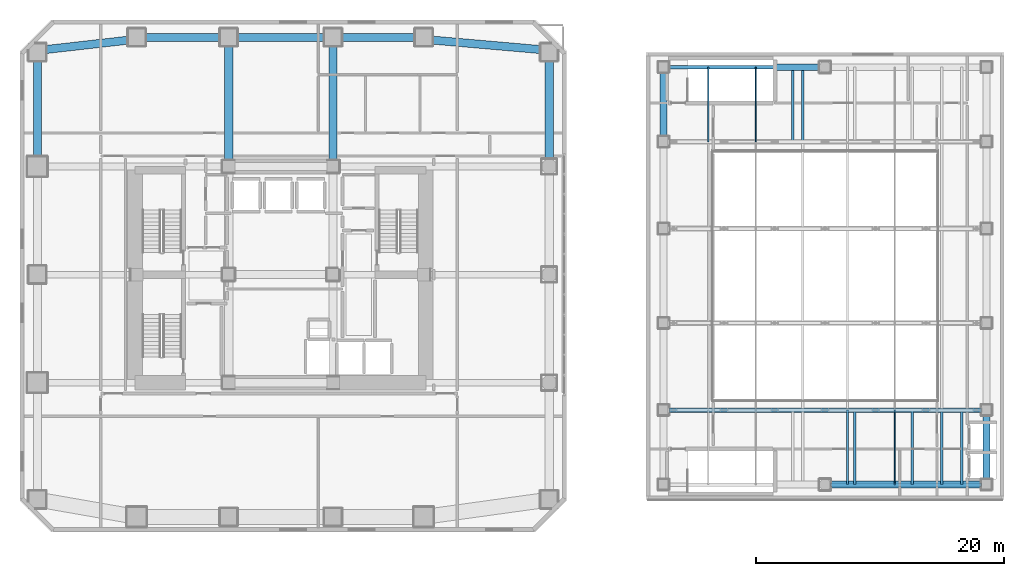
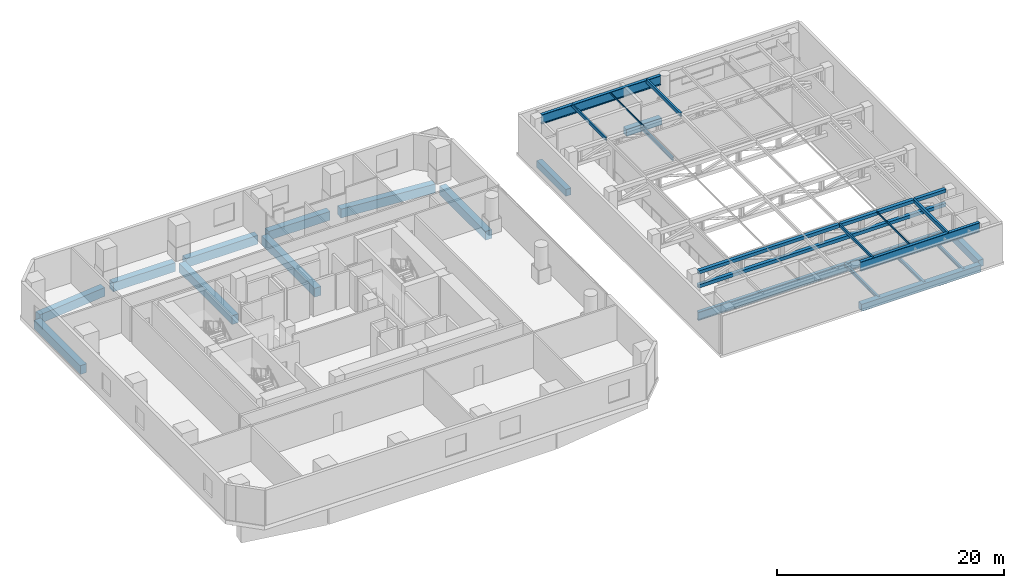
# One storey, part 8 of 25: 20 beams, 8 members.
"""IFC4 building model written with IfcOpenShell, lengths in metres."""

import ifcopenshell
import ifcopenshell.guid

model = None  # the IFC model being written
_history = None  # IfcOwnerHistory: only IFC2X3 demands one
_inside = {}  # id of a spatial element -> (the spatial element, [elements in it])
_under = {}  # id of a project, library or spatial element -> (it, [spatial elements below it])
_declared = {}  # id of a project -> (the project, [libraries it declares])
_typed = {}  # id of a type object -> (the type object, [elements of that type])
_made_of = {}  # id of a material, layer set ... -> (it, [elements and type objects made of it])


def new_model(schema):
    """Start an empty IFC model of exactly this schema.

    Asked for "IFC4X3", IfcOpenShell would pick the latest addendum, in which some entities
    have other attributes; the version numbers below select the first issue.
    IFC2X3 requires an IfcOwnerHistory on every rooted entity: one is made here for all.
    """
    global model, _history
    if schema == "IFC4X3":
        model = ifcopenshell.file(schema_version=(4, 3, 0, 0))
    else:
        model = ifcopenshell.file(schema=schema)
    _inside.clear()
    _under.clear()
    _declared.clear()
    _typed.clear()
    _made_of.clear()
    _history = None
    if model.schema == "IFC2X3":
        org = make("IfcOrganization", Name="unknown")
        user = make(
            "IfcPersonAndOrganization",
            ThePerson=make("IfcPerson", FamilyName="unknown"),
            TheOrganization=org,
        )
        app = make(
            "IfcApplication",
            ApplicationDeveloper=org,
            Version="unknown",
            ApplicationFullName="unknown",
            ApplicationIdentifier="unknown",
        )
        _history = make(
            "IfcOwnerHistory",
            OwningUser=user,
            OwningApplication=app,
            ChangeAction="ADDED",
            CreationDate=0,
        )
    return model


def make(cls, **values):
    """One entity of the class cls with the attributes given. An attribute that is None is left unset."""
    return model.create_entity(
        cls, **{name: value for name, value in values.items() if value is not None}
    )


def rooted(cls, **values):
    """An entity with a GlobalId (a new one), such as an element, a storey or a relation."""
    return make(cls, GlobalId=ifcopenshell.guid.new(), OwnerHistory=_history, **values)


def si_unit(unit_type, name, prefix=None):
    """IfcSIUnit, for example si_unit("LENGTHUNIT", "METRE", prefix="MILLI")."""
    return make("IfcSIUnit", UnitType=unit_type, Prefix=prefix, Name=name)


def assignment(units):
    """IfcUnitAssignment: the units of a project."""
    return None if units is None else make("IfcUnitAssignment", Units=units)


def point(xyz):
    """IfcCartesianPoint."""
    return None if xyz is None else make("IfcCartesianPoint", Coordinates=xyz)


def direction(xyz):
    """IfcDirection."""
    return None if xyz is None else make("IfcDirection", DirectionRatios=xyz)


def frame(location, z_axis=None, x_axis=None):
    """IfcAxis2Placement3D, a coordinate frame: its origin and axes. An axis left out is left unset."""
    return make(
        "IfcAxis2Placement3D",
        Location=point(location),
        Axis=direction(z_axis),
        RefDirection=direction(x_axis),
    )


def frame_2d(location, x_axis=None):
    """IfcAxis2Placement2D, a coordinate frame in the plane: its origin and x axis."""
    return make(
        "IfcAxis2Placement2D", Location=point(location), RefDirection=direction(x_axis)
    )


def origin():
    """The frame at (0, 0, 0) with its axes left unset."""
    return frame((0.0, 0.0, 0.0))


def origin_2d():
    """The frame at (0, 0) in the plane with its x axis left unset."""
    return frame_2d((0.0, 0.0))


def place(relative_to, where):
    """IfcLocalPlacement: puts the frame where relative to a parent placement (None: the world)."""
    return make(
        "IfcLocalPlacement", PlacementRelTo=relative_to, RelativePlacement=where
    )


def context(
    kind, dimensions, precision=None, world=None, true_north=None, identifier=None
):
    """IfcGeometricRepresentationContext, for example the 3D "Model" context."""
    return make(
        "IfcGeometricRepresentationContext",
        ContextIdentifier=identifier,
        ContextType=kind,
        CoordinateSpaceDimension=dimensions,
        Precision=precision,
        WorldCoordinateSystem=world,
        TrueNorth=true_north,
    )


def subcontext(parent, identifier, kind, view, scale=None):
    """IfcGeometricRepresentationSubContext, for example "Body" below "Model"."""
    return make(
        "IfcGeometricRepresentationSubContext",
        ContextIdentifier=identifier,
        ContextType=kind,
        ParentContext=parent,
        TargetScale=scale,
        TargetView=view,
    )


def project(units=None, contexts=None):
    """IfcProject with its units and contexts."""
    return rooted(
        "IfcProject",
        Name="project",
        RepresentationContexts=contexts,
        UnitsInContext=assignment(units),
    )


def spatial(cls, under=None, at=None, **own):
    """A site, building, storey or space (cls), placed at a placement, below another one or the project."""
    s = rooted(cls, ObjectPlacement=at, **own)
    if under is not None:
        _under.setdefault(under.id(), (under, []))[1].append(s)
    return s


def profile(cls, at=None, kind="AREA", **sizes):
    """A parametric profile (cls). Its sizes go by their IFC names, for example OverallWidth=200.0."""
    return make(cls, ProfileType=kind, Position=at, **sizes)


def rectangle(**sizes):
    """IfcRectangleProfileDef."""
    return profile("IfcRectangleProfileDef", **sizes)


def hollow_rectangle(**sizes):
    """IfcRectangleHollowProfileDef."""
    return profile("IfcRectangleHollowProfileDef", **sizes)


def i_section(**sizes):
    """IfcIShapeProfileDef."""
    return profile("IfcIShapeProfileDef", **sizes)


def extrude(swept, where, along, depth):
    """IfcExtrudedAreaSolid: the profile swept, set in the frame where, extruded along a direction by depth."""
    return make(
        "IfcExtrudedAreaSolid",
        SweptArea=swept,
        Position=where,
        ExtrudedDirection=direction(along),
        Depth=depth,
    )


def shape(context_of_items, identifier, shape_type, items):
    """IfcShapeRepresentation: the items that make up one representation, for example the "Body"."""
    return make(
        "IfcShapeRepresentation",
        ContextOfItems=context_of_items,
        RepresentationIdentifier=identifier,
        RepresentationType=shape_type,
        Items=items,
    )


def material(Name=None, Category=None):
    """IfcMaterial."""
    return make("IfcMaterial", Name=Name, Category=Category)


def material_profile(
    of_material, cross_section, Name=None, Category=None, Priority=None
):
    """IfcMaterialProfile: a cross section and its material."""
    return make(
        "IfcMaterialProfile",
        Name=Name,
        Material=of_material,
        Profile=cross_section,
        Priority=Priority,
        Category=Category,
    )


def profile_set(profiles, Name=None, composite=None):
    """IfcMaterialProfileSet."""
    return make(
        "IfcMaterialProfileSet",
        Name=Name,
        MaterialProfiles=profiles,
        CompositeProfile=composite,
    )


def made_of(thing, what):
    """Note that an element or type object is made of a material, layer set ...; save() writes the relation."""
    if what is not None:
        _made_of.setdefault(what.id(), (what, []))[1].append(thing)
    return thing


def type_object(cls, material=None, **own):
    """A type object (cls), such as IfcWallType, which elements share."""
    return made_of(rooted(cls, **own), material)


def element(
    cls,
    number,
    at=None,
    inside=None,
    cuts=None,
    type_object=None,
    material=None,
    context=None,
    identifier="Body",
    shape_type=None,
    held_by="IfcProductDefinitionShape",
    body=None,
    shapes=None,
    **own,
):
    """One element of the class cls, such as IfcWall. Its Tag is "e" and its number.

    at: its placement. inside: the storey or other place that contains it. cuts: it is an
    opening in that element (IfcRelVoidsElement). A single representation is given by context,
    identifier, shape_type and body (its items); several are given by shapes. held_by: the class
    of the entity that holds the representations. save() writes the other relations.
    """
    e = rooted(cls, Tag="e%d" % number, ObjectPlacement=at, **own)
    if body is not None:
        shapes = [shape(context, identifier, shape_type, body)]
    if shapes is not None:
        e.Representation = make(held_by, Representations=shapes)
    if inside is not None:
        _inside.setdefault(inside.id(), (inside, []))[1].append(e)
    if cuts is not None:
        rooted(
            "IfcRelVoidsElement", RelatingBuildingElement=cuts, RelatedOpeningElement=e
        )
    if type_object is not None:
        _typed.setdefault(type_object.id(), (type_object, []))[1].append(e)
    return made_of(e, material)


def aggregate(whole, parts):
    """IfcRelAggregates: a whole, such as a stair, and the parts it consists of."""
    return rooted("IfcRelAggregates", RelatingObject=whole, RelatedObjects=parts)


def save(model, path):
    """Write the relations noted so far, then the file.

    IfcRelAggregates (storeys below a building ...), IfcRelContainedInSpatialStructure (elements
    in a storey), IfcRelDefinesByType, IfcRelAssociatesMaterial and IfcRelDeclares: one each for
    every whole, place, type object, material and project.
    """
    for whole, parts in _under.values():
        aggregate(whole, parts)
    for where, things in _inside.values():
        rooted(
            "IfcRelContainedInSpatialStructure",
            RelatedElements=things,
            RelatingStructure=where,
        )
    for kind, things in _typed.values():
        rooted("IfcRelDefinesByType", RelatedObjects=things, RelatingType=kind)
    for what, things in _made_of.values():
        rooted("IfcRelAssociatesMaterial", RelatedObjects=things, RelatingMaterial=what)
    for by, libraries in _declared.values():
        rooted("IfcRelDeclares", RelatingContext=by, RelatedDefinitions=libraries)
    model.write(path)


model = new_model("IFC4")

# Units and contexts
model_context = context("Model", 3, precision=1e-05, world=origin(), true_north=direction((0.0, 1.0)))
body_context = subcontext(model_context, "Body", "Model", "MODEL_VIEW")
ifc_project = project(units=[si_unit("LENGTHUNIT", "METRE"), si_unit("AREAUNIT", "SQUARE_METRE"), si_unit("VOLUMEUNIT", "CUBIC_METRE"), si_unit("PLANEANGLEUNIT", "RADIAN"), si_unit("MASSUNIT", "GRAM", prefix="KILO")], contexts=[model_context])

# Site, building, storey
site_placement = place(None, origin())
site = spatial("IfcSite", under=ifc_project, at=site_placement, CompositionType="ELEMENT")
building_placement = place(site_placement, origin())
building = spatial("IfcBuilding", under=site, at=building_placement, Name="Solanera Arch Residences", CompositionType="ELEMENT")
storey_placement = place(building_placement, frame((0.0, 0.0, 17.800048828125)))
storey = spatial("IfcBuildingStorey", under=building, at=storey_placement, Name="L04", CompositionType="ELEMENT", Elevation=17.800048828125)

# Beams
ifc_material_1 = material(Name="Concrete C40/50 (f'c = 45 MPa)", Category="concrete")
ifc_material_profile_1 = material_profile(ifc_material_1, rectangle(XDim=0.550048828125, YDim=0.75, at=origin_2d()))
ifc_profile_set_1 = profile_set([ifc_material_profile_1], Name="Concrete C40/50 (f'c = 45 MPa)")
beam_type_1 = type_object("IfcBeamType", Name="Primary Beam RC-BM-550X750", PredefinedType="BEAM", material=ifc_profile_set_1)
beam_1_placement = place(storey_placement, frame((81.800048828125, 14.22509765625, -0.655029296875), z_axis=(0.0, 1.0, 0.0), x_axis=(-1.0, 0.0, 0.0)))
element("IfcBeam", 1, at=beam_1_placement, inside=storey, type_object=beam_type_1, Name="BM-L04-HE-1", PredefinedType="BEAM", context=body_context, shape_type="SweptSolid", body=[
    extrude(rectangle(XDim=0.550048828125, YDim=0.75, at=origin_2d()), origin(), (0.0, 0.0, 1.0), 5.14990234375),
])
beam_2_placement = place(storey_placement, frame((55.800048828125, 41.824951171875, -0.655029296875), z_axis=(0.0, 1.0, 0.0), x_axis=(-1.0, 0.0, 0.0)))
element("IfcBeam", 2, at=beam_2_placement, inside=storey, type_object=beam_type_1, Name="BM-L04-HW-5", PredefinedType="BEAM", context=body_context, shape_type="SweptSolid", body=[
    extrude(rectangle(XDim=0.550048828125, YDim=0.75, at=origin_2d()), origin(), (0.0, 0.0, 1.0), 5.150146484375),
])
beam_3_placement = place(storey_placement, frame((69.25, 13.800048828125, -0.655029296875), z_axis=(1.0, 0.0, 0.0), x_axis=(0.0, 1.0, 0.0)))
element("IfcBeam", 3, at=beam_3_placement, inside=storey, type_object=beam_type_1, Name="BM-L04-HS-2", PredefinedType="BEAM", context=body_context, shape_type="SweptSolid", body=[
    extrude(rectangle(XDim=0.550048828125, YDim=0.75, at=origin_2d()), origin(), (0.0, 0.0, 1.0), 12.125),
])
beam_4_placement = place(storey_placement, frame((64.760009765625, 47.39990234375, -0.655029296875), z_axis=(1.0, 0.0, 0.0), x_axis=(0.0, 1.0, 0.0)))
element("IfcBeam", 4, at=beam_4_placement, inside=storey, type_object=beam_type_1, Name="BM-L04-HN-1", PredefinedType="BEAM", context=body_context, shape_type="SweptSolid", body=[
    extrude(rectangle(XDim=0.550048828125, YDim=0.75, at=origin_2d()), origin(), (0.0, 0.0, 1.0), 3.590087890625),
])
ifc_material_2 = material(Name="Concrete C40/50 (f'c = 45 MPa)", Category="concrete")
ifc_material_profile_2 = material_profile(ifc_material_2, rectangle(XDim=0.64990234375, YDim=0.949951171875, at=origin_2d()))
ifc_profile_set_2 = profile_set([ifc_material_profile_2], Name="Concrete C40/50 (f'c = 45 MPa)")
beam_type_2 = type_object("IfcBeamType", Name="Primary Beam RC-BM-650X950", PredefinedType="BEAM", material=ifc_profile_set_2)
beam_5_placement = place(storey_placement, frame((5.39990234375, 39.93994140625, -0.89501953125), z_axis=(0.0, 1.0, 0.0), x_axis=(-1.0, 0.0, 0.0)))
element("IfcBeam", 5, at=beam_5_placement, inside=storey, type_object=beam_type_2, Name="BM-L04-POD-W4", PredefinedType="BEAM", context=body_context, shape_type="SweptSolid", body=[
    extrude(rectangle(XDim=0.64990234375, YDim=0.949951171875, at=origin_2d()), origin(), (0.0, 0.0, 1.0), 8.1201171875),
])
beam_6_placement = place(storey_placement, frame((5.8798828125, 48.800048828125, -0.89501953125), z_axis=(0.993604551923, 0.112915873098, 0.0), x_axis=(-0.112915873098, 0.993604551923, 0.0)))
element("IfcBeam", 6, at=beam_6_placement, inside=storey, type_object=beam_type_2, Name="BM-L04-POD-N1", PredefinedType="BEAM", context=body_context, shape_type="SweptSolid", body=[
    extrude(rectangle(XDim=0.64990234375, YDim=0.949951171875, at=origin_2d()), origin(), (0.0, 0.0, 1.0), 7.08544921875),
])
beam_7_placement = place(storey_placement, frame((13.93994140625, 49.800048828125, -0.89501953125), z_axis=(1.0, 0.0, 0.0), x_axis=(0.0, 1.0, 0.0)))
element("IfcBeam", 7, at=beam_7_placement, inside=storey, type_object=beam_type_2, Name="BM-L04-POD-N2", PredefinedType="BEAM", context=body_context, shape_type="SweptSolid", body=[
    extrude(rectangle(XDim=0.64990234375, YDim=0.949951171875, at=origin_2d()), origin(), (0.0, 0.0, 1.0), 6.320068359375),
])
beam_8_placement = place(storey_placement, frame((21.340087890625, 49.800048828125, -0.89501953125), z_axis=(1.0, 0.0, 0.0), x_axis=(0.0, 1.0, 0.0)))
element("IfcBeam", 8, at=beam_8_placement, inside=storey, type_object=beam_type_2, Name="BM-L04-POD-N3", PredefinedType="BEAM", context=body_context, shape_type="SweptSolid", body=[
    extrude(rectangle(XDim=0.64990234375, YDim=0.949951171875, at=origin_2d()), origin(), (0.0, 0.0, 1.0), 7.31982421875),
])
beam_9_placement = place(storey_placement, frame((29.739990234375, 49.800048828125, -0.89501953125), z_axis=(1.0, 0.0, 0.0), x_axis=(0.0, 1.0, 0.0)))
element("IfcBeam", 9, at=beam_9_placement, inside=storey, type_object=beam_type_2, Name="BM-L04-POD-N4", PredefinedType="BEAM", context=body_context, shape_type="SweptSolid", body=[
    extrude(rectangle(XDim=0.64990234375, YDim=0.949951171875, at=origin_2d()), origin(), (0.0, 0.0, 1.0), 6.219970703125),
])
beam_10_placement = place(storey_placement, frame((36.97998046875, 49.60009765625, -0.89501953125), z_axis=(0.996191002053, -0.087197978357, 0.0), x_axis=(0.087197978357, 0.996191002053, 0.0)))
element("IfcBeam", 10, at=beam_10_placement, inside=storey, type_object=beam_type_2, Name="BM-L04-POD-N5", PredefinedType="BEAM", context=body_context, shape_type="SweptSolid", body=[
    extrude(rectangle(XDim=0.64990234375, YDim=0.949951171875, at=origin_2d()), origin(), (0.0, 0.0, 1.0), 9.175048828125),
])
beam_11_placement = place(storey_placement, frame((46.60009765625, 39.93994140625, -0.89501953125), z_axis=(0.0, 1.0, 0.0), x_axis=(-1.0, 0.0, 0.0)))
element("IfcBeam", 11, at=beam_11_placement, inside=storey, type_object=beam_type_2, Name="BM-L04-POD-E4", PredefinedType="BEAM", context=body_context, shape_type="SweptSolid", body=[
    extrude(rectangle(XDim=0.64990234375, YDim=0.949951171875, at=origin_2d()), origin(), (0.0, 0.0, 1.0), 8.1201171875),
])
for number, where, z_axis, x_axis, name in (
    (12, (20.800048828125, 39.904052734375, -0.89501953125), (0.0, 1.0, 0.0), (-1.0, 0.0, 0.0), "BM-L04-POD-RN-20"),
    (13, (29.199951171875, 39.904052734375, -0.89501953125), (0.0, 1.0, 0.0), (-1.0, 0.0, 0.0), "BM-L04-POD-RN-29"),
):
    element("IfcBeam", number, at=place(storey_placement, frame(where, z_axis=z_axis, x_axis=x_axis)), inside=storey, type_object=beam_type_2, Name=name, PredefinedType="BEAM", context=body_context, shape_type="SweptSolid", body=[
        extrude(rectangle(XDim=0.64990234375, YDim=0.949951171875, at=origin_2d()), origin(), (0.0, 0.0, 1.0), 9.35595703125),
    ])
ifc_material_3 = material(Name="Steel S355 (ASTM A992 / A572 Grade 50)", Category="steel")
ifc_material_profile_3 = material_profile(ifc_material_3, i_section(OverallWidth=0.306884765625, OverallDepth=0.912109375, WebThickness=0.01953125, FlangeThickness=0.031982421875, at=origin_2d()))
ifc_profile_set_3 = profile_set([ifc_material_profile_3], Name="Steel S355 (ASTM A992 / A572 Grade 50)")
beam_type_3 = type_object("IfcBeamType", Name="Primary Beam W920X342", PredefinedType="BEAM", material=ifc_profile_set_3)
beam_12_placement = place(storey_placement, frame((56.22509765625, 19.800048828125, -0.736083984375), z_axis=(1.0, 0.0, 0.0), x_axis=(0.0, 1.0, 0.0)))
element("IfcBeam", 14, at=beam_12_placement, inside=storey, type_object=beam_type_3, Name="BM-L04-HCS", PredefinedType="BEAM", context=body_context, shape_type="SweptSolid", body=[
    extrude(i_section(OverallWidth=0.306884765625, OverallDepth=0.912109375, WebThickness=0.01953125, FlangeThickness=0.031982421875, at=origin_2d()), origin(), (0.0, 0.0, 1.0), 25.14990234375),
])

# Members
ifc_material_4 = material(Name="Steel S355 (ASTM A992 / A572 Grade 50)", Category="steel")
ifc_material_profile_4 = material_profile(ifc_material_4, hollow_rectangle(XDim=0.080078125, YDim=0.179931640625, WallThickness=0.006103515625, at=origin_2d()))
ifc_profile_set_4 = profile_set([ifc_material_profile_4], Name="Steel S355 (ASTM A992 / A572 Grade 50)")
member_type_1 = type_object("IfcMemberType", Name="Roof Purlin HSS180X80X6", PredefinedType="PURLIN", material=ifc_profile_set_4)
for number, where, z_axis, x_axis, name in (
    (15, (63.199951171875, 41.39990234375, 4.10986328125), (0.0, 1.0, 0.0), (-1.0, 0.0, 0.0), "Sports Hall Roof Purlin 2.5"),
    (16, (74.39990234375, 13.800048828125, 4.10986328125), (0.0, 1.0, 0.0), (-1.0, 0.0, 0.0), "Sports Hall Roof Purlin 5.1"),
):
    element("IfcMember", number, at=place(storey_placement, frame(where, z_axis=z_axis, x_axis=x_axis)), inside=storey, type_object=member_type_1, Name=name, PredefinedType="PURLIN", context=body_context, shape_type="SweptSolid", body=[
        extrude(hollow_rectangle(XDim=0.080078125, YDim=0.179931640625, WallThickness=0.006103515625, at=origin_2d()), origin(), (0.0, 0.0, 1.0), 6.0),
    ])
ifc_material_5 = material(Name="Steel S355 (ASTM A992 / A572 Grade 50)", Category="steel")
ifc_material_profile_5 = material_profile(ifc_material_5, hollow_rectangle(XDim=0.14990234375, YDim=0.300048828125, WallThickness=0.010009765625, at=origin_2d()))
ifc_profile_set_5 = profile_set([ifc_material_profile_5], Name="Steel S355 (ASTM A992 / A572 Grade 50)")
member_type_2 = type_object("IfcMemberType", Name="Roof Purlin HSS300X150X10", PredefinedType="PURLIN", material=ifc_profile_set_5)
for number, where, z_axis, x_axis, name in (
    (17, (59.39990234375, 41.39990234375, 4.050048828125), (0.0, 1.0, 0.0), (-1.0, 0.0, 0.0), "Sports Hall Roof Purlin 1.5"),
    (18, (70.60009765625, 13.800048828125, 4.050048828125), (0.0, 1.0, 0.0), (-1.0, 0.0, 0.0), "Sports Hall Roof Purlin 4.1"),
):
    element("IfcMember", number, at=place(storey_placement, frame(where, z_axis=z_axis, x_axis=x_axis)), inside=storey, type_object=member_type_2, Name=name, PredefinedType="PURLIN", context=body_context, shape_type="SweptSolid", body=[
        extrude(hollow_rectangle(XDim=0.14990234375, YDim=0.300048828125, WallThickness=0.010009765625, at=origin_2d()), origin(), (0.0, 0.0, 1.0), 6.0),
    ])
ifc_material_6 = material(Name="Steel S355 (ASTM A992 / A572 Grade 50)", Category="steel")
ifc_material_profile_6 = material_profile(ifc_material_6, hollow_rectangle(XDim=0.199951171875, YDim=0.39990234375, WallThickness=0.012451171875, at=origin_2d()))
ifc_profile_set_6 = profile_set([ifc_material_profile_6], Name="Steel S355 (ASTM A992 / A572 Grade 50)")
member_type_3 = type_object("IfcMemberType", Name="Roof Purlin HSS400X200X12.5", PredefinedType="PURLIN", material=ifc_profile_set_6)
for number, where, z_axis, x_axis, name in (
    (19, (67.0, 41.39990234375, 4.0), (0.0, 1.0, 0.0), (-1.0, 0.0, 0.0), "Sports Hall Roof Purlin 3.5"),
    (20, (78.199951171875, 13.800048828125, 4.0), (0.0, 1.0, 0.0), (-1.0, 0.0, 0.0), "Sports Hall Roof Purlin 6.1"),
):
    element("IfcMember", number, at=place(storey_placement, frame(where, z_axis=z_axis, x_axis=x_axis)), inside=storey, type_object=member_type_3, Name=name, PredefinedType="PURLIN", context=body_context, shape_type="SweptSolid", body=[
        extrude(hollow_rectangle(XDim=0.199951171875, YDim=0.39990234375, WallThickness=0.012451171875, at=origin_2d()), origin(), (0.0, 0.0, 1.0), 6.0),
    ])

# Beams
ifc_material_7 = material(Name="Steel S355 (ASTM A992 / A572 Grade 50)", Category="steel")
ifc_material_profile_7 = material_profile(ifc_material_7, i_section(OverallWidth=0.205078125, OverallDepth=0.35400390625, WebThickness=0.009521484375, FlangeThickness=0.016845703125, at=origin_2d()))
ifc_profile_set_7 = profile_set([ifc_material_profile_7], Name="Steel S355 (ASTM A992 / A572 Grade 50)")
beam_type_4 = type_object("IfcBeamType", Name="Secondary Joist W360X79", PredefinedType="JOIST", material=ifc_profile_set_7)
for number, where, z_axis, x_axis, name in (
    (21, (66.199951171875, 41.39990234375, -0.45703125), (0.0, 1.0, 0.0), (-1.0, 0.0, 0.0), "BM-L04-HJN-66"),
    (22, (71.199951171875, 13.800048828125, -0.45703125), (0.0, 1.0, 0.0), (-1.0, 0.0, 0.0), "BM-L04-HJS-71"),
    (23, (75.800048828125, 13.800048828125, -0.45703125), (0.0, 1.0, 0.0), (-1.0, 0.0, 0.0), "BM-L04-HJS-75"),
    (24, (79.800048828125, 13.800048828125, -0.45703125), (0.0, 1.0, 0.0), (-1.0, 0.0, 0.0), "BM-L04-HJS-79"),
):
    element("IfcBeam", number, at=place(storey_placement, frame(where, z_axis=z_axis, x_axis=x_axis)), inside=storey, type_object=beam_type_4, Name=name, PredefinedType="JOIST", context=body_context, shape_type="SweptSolid", body=[
        extrude(i_section(OverallWidth=0.205078125, OverallDepth=0.35400390625, WebThickness=0.009521484375, FlangeThickness=0.016845703125, at=origin_2d()), origin(), (0.0, 0.0, 1.0), 6.0),
    ])
ifc_material_8 = material(Name="Steel S355 (ASTM A992 / A572 Grade 50)", Category="steel")
ifc_material_profile_8 = material_profile(ifc_material_8, i_section(OverallWidth=0.300048828125, OverallDepth=1.02001953125, WebThickness=0.0205078125, FlangeThickness=0.0361328125, at=origin_2d()))
ifc_profile_set_8 = profile_set([ifc_material_profile_8], Name="Steel S355 (ASTM A992 / A572 Grade 50)")
beam_type_5 = type_object("IfcBeamType", Name="Transfer Girder W1000X371", PredefinedType="BEAM", material=ifc_profile_set_8)
for number, where, z_axis, x_axis, name in (
    (25, (69.25, 13.800048828125, 3.68994140625), (1.0, 0.0, 0.0), (0.0, 1.0, 0.0), "BM-L04-HRF-S2"),
    (26, (56.22509765625, 47.39990234375, 3.68994140625), (1.0, 0.0, 0.0), (0.0, 1.0, 0.0), "BM-L04-HRF-N1"),
):
    element("IfcBeam", number, at=place(storey_placement, frame(where, z_axis=z_axis, x_axis=x_axis)), inside=storey, type_object=beam_type_5, Name=name, PredefinedType="BEAM", context=body_context, shape_type="SweptSolid", body=[
        extrude(i_section(OverallWidth=0.300048828125, OverallDepth=1.02001953125, WebThickness=0.0205078125, FlangeThickness=0.0361328125, at=origin_2d()), origin(), (0.0, 0.0, 1.0), 12.125),
    ])

# Members
ifc_material_9 = material(Name="Steel S355 (ASTM A992 / A572 Grade 50)", Category="steel")
ifc_material_profile_9 = material_profile(ifc_material_9, hollow_rectangle(XDim=0.35009765625, YDim=0.35009765625, WallThickness=0.012451171875, at=origin_2d()))
ifc_profile_set_9 = profile_set([ifc_material_profile_9], Name="Steel S355 (ASTM A992 / A572 Grade 50)")
member_type_4 = type_object("IfcMemberType", Name="Truss Chord HSS350X350X12.5", PredefinedType="CHORD", material=ifc_profile_set_9)
for number, where, z_axis, x_axis, name in (
    (27, (56.22509765625, 19.800048828125, 4.0), (1.0, 0.0, 0.0), (0.0, 1.0, 0.0), "Sports Hall Roof Truss 1 Top Chord"),
    (28, (56.22509765625, 19.800048828125, 2.5), (1.0, 0.0, 0.0), (0.0, 1.0, 0.0), "Sports Hall Roof Truss 1 Bottom Chord"),
):
    element("IfcMember", number, at=place(storey_placement, frame(where, z_axis=z_axis, x_axis=x_axis)), inside=storey, type_object=member_type_4, Name=name, PredefinedType="CHORD", context=body_context, shape_type="SweptSolid", body=[
        extrude(hollow_rectangle(XDim=0.35009765625, YDim=0.35009765625, WallThickness=0.012451171875, at=origin_2d()), origin(), (0.0, 0.0, 1.0), 25.14990234375),
    ])

save(model, "model.ifc")
